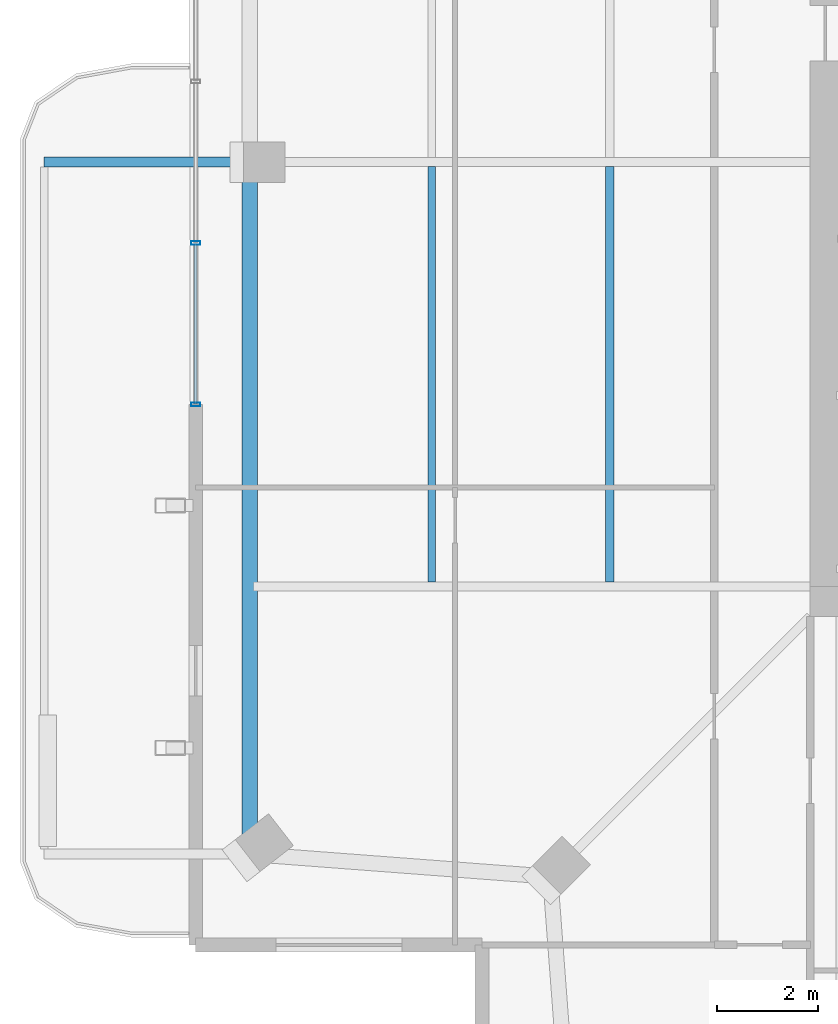
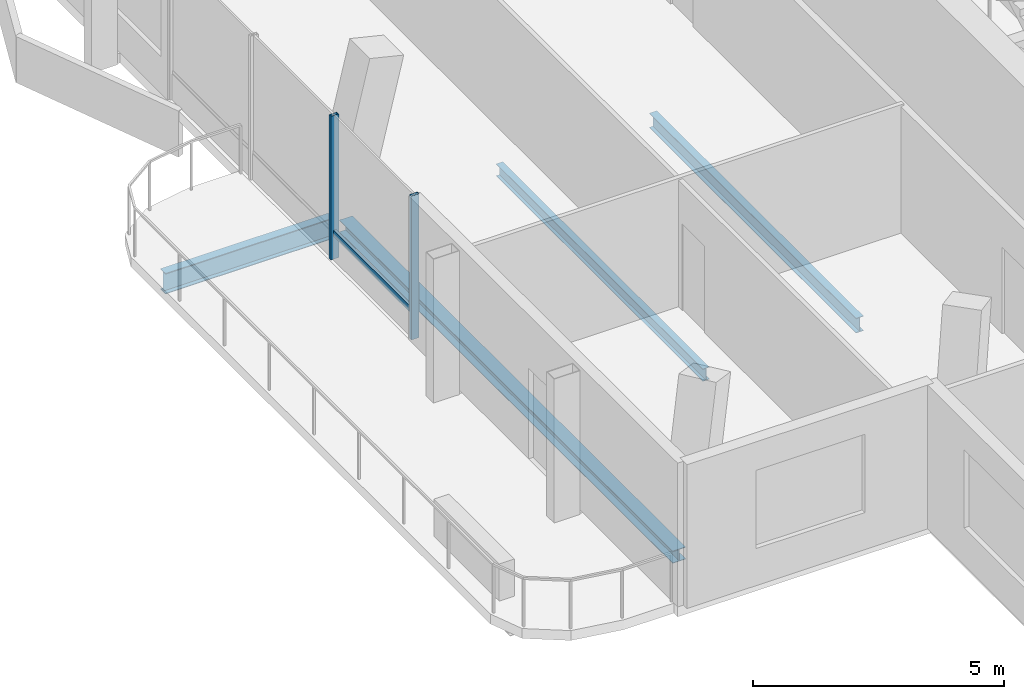
# One storey, part 6 of 20: 4 beams, 3 members, 1 element without a shape of its own.
"""IFC4 building model written with IfcOpenShell, lengths in metres."""

from ifc_helpers import new_model, si_unit, direction, frame, origin, origin_2d, place, context, subcontext, project, spatial, hollow_rectangle, i_section, extrude, material, layer, layer_set, material_profile, profile_set, type_object, element, aggregate, save


model = new_model("IFC4")

# Units and contexts
model_context = context("Model", 3, precision=1e-05, world=origin(), true_north=direction((0.0, 1.0)))
body_context = subcontext(model_context, "Body", "Model", "MODEL_VIEW")
ifc_project = project(units=[si_unit("LENGTHUNIT", "METRE"), si_unit("AREAUNIT", "SQUARE_METRE"), si_unit("VOLUMEUNIT", "CUBIC_METRE"), si_unit("PLANEANGLEUNIT", "RADIAN"), si_unit("MASSUNIT", "GRAM", prefix="KILO")], contexts=[model_context])

# Site, building, storey
site_placement = place(None, origin())
site = spatial("IfcSite", under=ifc_project, at=site_placement, CompositionType="ELEMENT")
building_placement = place(site_placement, origin())
building = spatial("IfcBuilding", under=site, at=building_placement, Name="Belovzor Exchange Tower", CompositionType="ELEMENT")
storey_placement = place(building_placement, frame((0.0, 0.0, 351.75)))
storey = spatial("IfcBuildingStorey", under=building, at=storey_placement, Name="L88", CompositionType="ELEMENT", Elevation=351.75)

# Beams
ifc_material_1 = material(Name="Steel S355", Category="steel")
ifc_material_profile_1 = material_profile(ifc_material_1, i_section(OverallWidth=0.199951171875, OverallDepth=0.5, WebThickness=0.01025390625, FlangeThickness=0.01611328125, at=origin_2d()))
ifc_profile_set_1 = profile_set([ifc_material_profile_1], Name="Steel S355")
beam_type_1 = type_object("IfcBeamType", Name="Planted Balcony Cantilever Beam IPE 500", PredefinedType="BEAM", material=ifc_profile_set_1)
beam_1_placement = place(storey_placement, frame((8.47998046875, 28.800048828125, -0.489990234375), z_axis=(-1.0, 0.0, 0.0), x_axis=(0.0, -1.0, 0.0)))
element("IfcBeam", 1, at=beam_1_placement, inside=storey, type_object=beam_type_1, Name="BC-500 Planted Balcony Cantilever Beam IPE 500", PredefinedType="BEAM", context=body_context, shape_type="SweptSolid", body=[
    extrude(i_section(OverallWidth=0.199951171875, OverallDepth=0.5, WebThickness=0.01025390625, FlangeThickness=0.01611328125, at=origin_2d()), origin(), (0.0, 0.0, 1.0), 3.85009765625),
])
ifc_material_2 = material(Name="Steel S355", Category="steel")
ifc_material_profile_2 = material_profile(ifc_material_2, i_section(OverallWidth=0.169921875, OverallDepth=0.360107421875, WebThickness=0.008056640625, FlangeThickness=0.0126953125, at=origin_2d()))
ifc_profile_set_2 = profile_set([ifc_material_profile_2], Name="Steel S355")
beam_type_2 = type_object("IfcBeamType", Name="Secondary Infill Floor Joist IPE 360", PredefinedType="BEAM", material=ifc_profile_set_2)
beam_2_placement = place(storey_placement, frame((15.8310546875, 20.489990234375, -0.419921875), z_axis=(0.0, 1.0, 0.0), x_axis=(-1.0, 0.0, 0.0)))
element("IfcBeam", 2, at=beam_2_placement, inside=storey, type_object=beam_type_2, Name="FJ-360 Secondary Infill Floor Joist IPE 360", PredefinedType="BEAM", context=body_context, shape_type="SweptSolid", body=[
    extrude(i_section(OverallWidth=0.169921875, OverallDepth=0.360107421875, WebThickness=0.008056640625, FlangeThickness=0.0126953125, at=origin_2d()), origin(), (0.0, 0.0, 1.0), 8.219970703125),
])
ifc_material_3 = material(Name="Steel S355", Category="steel")
ifc_material_profile_3 = material_profile(ifc_material_3, i_section(OverallWidth=0.14990234375, OverallDepth=0.300048828125, WebThickness=0.007080078125, FlangeThickness=0.0107421875, at=origin_2d()))
ifc_profile_set_3 = profile_set([ifc_material_profile_3], Name="Steel S355")
beam_type_3 = type_object("IfcBeamType", Name="Secondary Trim Floor Joist IPE 300", PredefinedType="BEAM", material=ifc_profile_set_3)
beam_3_placement = place(storey_placement, frame((12.302978515625, 20.489990234375, -0.389892578125), z_axis=(0.0, 1.0, 0.0), x_axis=(-1.0, 0.0, 0.0)))
element("IfcBeam", 3, at=beam_3_placement, inside=storey, type_object=beam_type_3, Name="FJ-300 Secondary Trim Floor Joist IPE 300", PredefinedType="BEAM", context=body_context, shape_type="SweptSolid", body=[
    extrude(i_section(OverallWidth=0.14990234375, OverallDepth=0.300048828125, WebThickness=0.007080078125, FlangeThickness=0.0107421875, at=origin_2d()), origin(), (0.0, 0.0, 1.0), 8.219970703125),
])

# Curtain wall, members
ifc_material_4 = material(Name="Anodised Aluminium Framing", Category="aluminium")
ifc_layer = layer(ifc_material_4, 0.179931640625)
ifc_layer_set = layer_set([ifc_layer], Name="Anodised Aluminium Framing")
curtain_wall_type = type_object("IfcCurtainWallType", Name="Recessed Loggia Low-Iron Triple-Glazed Curtain Wall", PredefinedType="NOTDEFINED", material=ifc_layer_set)
curtain_wall_placement = place(storey_placement, origin())
curtain_wall = element("IfcCurtainWall", 4, at=curtain_wall_placement, inside=storey, type_object=curtain_wall_type, Name="CW3 Recessed Loggia Low-Iron Triple-Glazed Curtain Wall L88", PredefinedType="NOTDEFINED")
ifc_material_5 = material(Name="Steel S355", Category="steel")
ifc_material_profile_4 = material_profile(ifc_material_5, hollow_rectangle(XDim=0.074951171875, YDim=0.179931640625, WallThickness=0.0048828125, at=origin_2d()))
ifc_profile_set_4 = profile_set([ifc_material_profile_4], Name="Steel S355")
member_type_1 = type_object("IfcMemberType", Name="Thermally Broken Curtain Wall Mullion 180x75", PredefinedType="MULLION", material=ifc_profile_set_4)
member_1_placement = place(storey_placement, frame((7.6298828125, 24.0, 0.0), z_axis=(0.0, 0.0, 1.0), x_axis=(0.0, 1.0, 0.0)))
member_1 = element("IfcMember", 5, at=member_1_placement, type_object=member_type_1, Name="CW-M180 Curtain Wall Mullion 1", PredefinedType="MULLION", context=body_context, shape_type="SweptSolid", body=[
    extrude(hollow_rectangle(XDim=0.074951171875, YDim=0.179931640625, WallThickness=0.0048828125, at=origin_2d()), origin(), (0.0, 0.0, 1.0), 3.489990234375),
])
member_2_placement = place(storey_placement, frame((7.6298828125, 27.199951171875, 0.0), z_axis=(0.0, 0.0, 1.0), x_axis=(0.0, 1.0, 0.0)))
member_2 = element("IfcMember", 6, at=member_2_placement, type_object=member_type_1, Name="CW-M180 Curtain Wall Mullion 2", PredefinedType="MULLION", context=body_context, shape_type="SweptSolid", body=[
    extrude(hollow_rectangle(XDim=0.074951171875, YDim=0.179931640625, WallThickness=0.0048828125, at=origin_2d()), origin(), (0.0, 0.0, 1.0), 3.489990234375),
])
ifc_material_6 = material(Name="Steel S355", Category="steel")
ifc_material_profile_5 = material_profile(ifc_material_6, hollow_rectangle(XDim=0.06005859375, YDim=0.14990234375, WallThickness=0.00390625, at=origin_2d()))
ifc_profile_set_5 = profile_set([ifc_material_profile_5], Name="Steel S355")
member_type_2 = type_object("IfcMemberType", Name="Thermally Broken Curtain Wall Transom 150x60", PredefinedType="USERDEFINED", material=ifc_profile_set_5)
member_3_placement = place(storey_placement, frame((7.6298828125, 24.008056640625, 0.6279296875), z_axis=(0.0, 1.0, 0.0), x_axis=(-1.0, 0.0, 0.0)))
member_3 = element("IfcMember", 7, at=member_3_placement, type_object=member_type_2, Name="CW-T150 Curtain Wall Transom 1", ObjectType="TRANSOM", PredefinedType="USERDEFINED", context=body_context, shape_type="SweptSolid", body=[
    extrude(hollow_rectangle(XDim=0.06005859375, YDim=0.14990234375, WallThickness=0.00390625, at=origin_2d()), origin(), (0.0, 0.0, 1.0), 3.183837890625),
])
aggregate(curtain_wall, [member_1, member_2, member_3])

# Beam
ifc_material_7 = material(Name="Steel S355", Category="steel")
ifc_material_profile_6 = material_profile(ifc_material_7, i_section(OverallWidth=0.300048828125, OverallDepth=0.300048828125, WebThickness=0.008544921875, FlangeThickness=0.013916015625, at=origin_2d()))
ifc_profile_set_6 = profile_set([ifc_material_profile_6], Name="Steel S355")
beam_type_4 = type_object("IfcBeamType", Name="Zone 6 Primary Girder HEA 300", PredefinedType="BEAM", material=ifc_profile_set_6)
beam_4_placement = place(storey_placement, frame((8.699951171875, 28.580078125, -0.389892578125), z_axis=(0.0, -1.0, 0.0), x_axis=(1.0, 0.0, 0.0)))
element("IfcBeam", 8, at=beam_4_placement, inside=storey, type_object=beam_type_4, Name="FG-Z6 Zone 6 Primary Girder HEA 300", PredefinedType="BEAM", context=body_context, shape_type="SweptSolid", body=[
    extrude(i_section(OverallWidth=0.300048828125, OverallDepth=0.300048828125, WebThickness=0.008544921875, FlangeThickness=0.013916015625, at=origin_2d()), origin(), (0.0, 0.0, 1.0), 13.260009765625),
])

save(model, "model.ifc")
